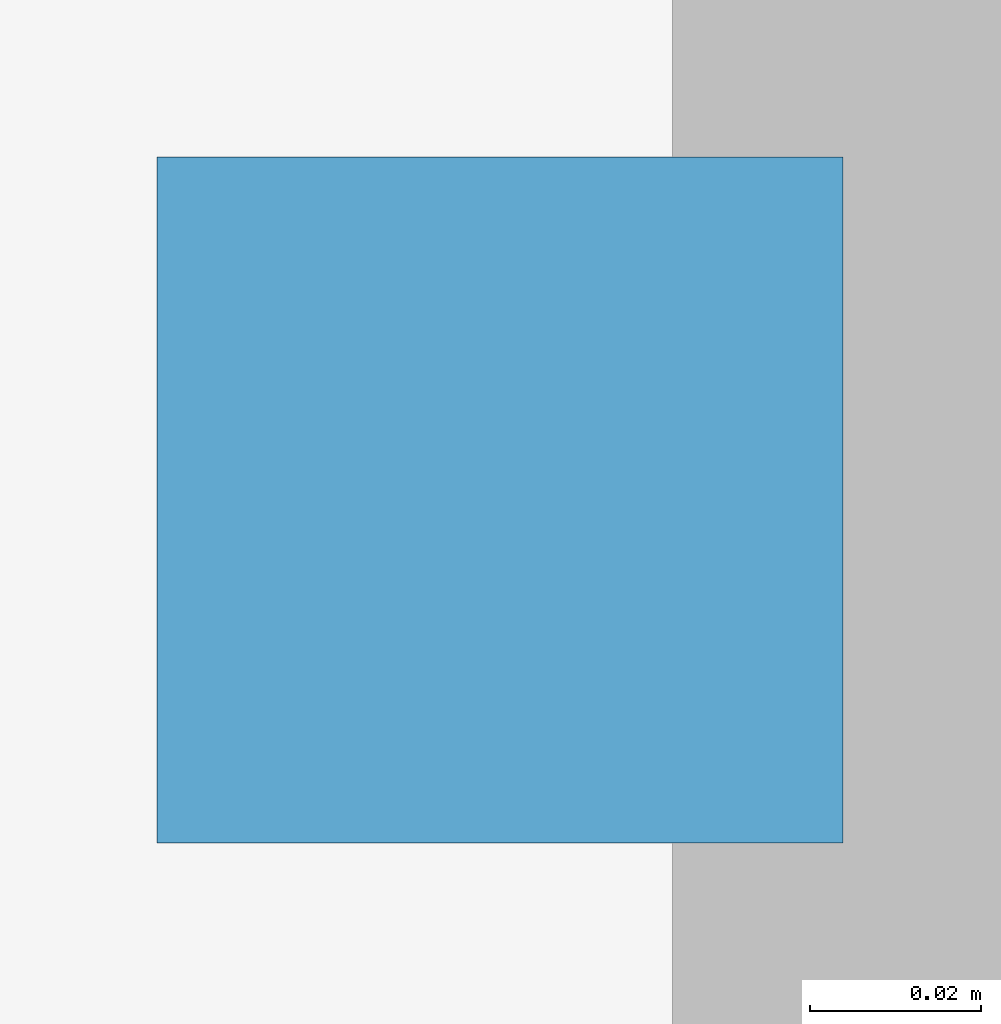
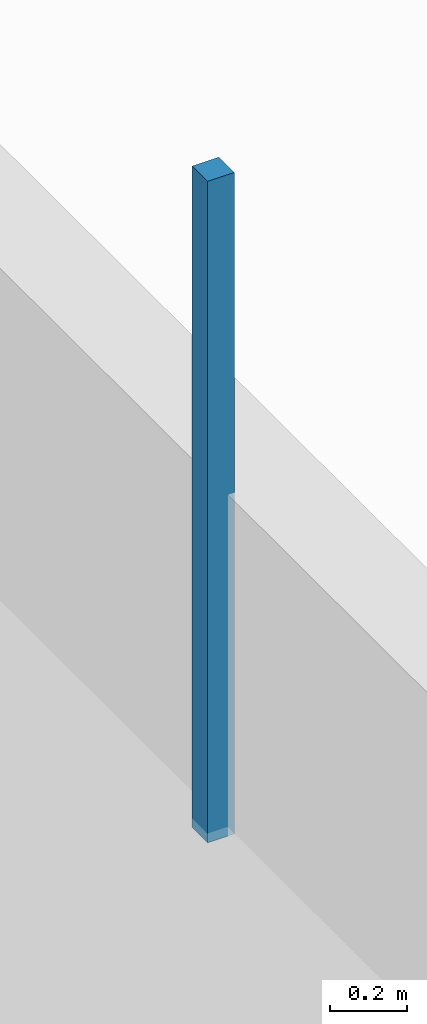
# One storey, part 14 of 18: 1 discrete accessory.
"""IFC4 building model written with IfcOpenShell, lengths in metres."""

from ifc_helpers import new_model, si_unit, direction, frame, origin, origin_2d, place, context, subcontext, project, spatial, rectangle, extrude, source, transform, mapped, material, type_object, element, save


model = new_model("IFC4")

# Units and contexts
model_context = context("Model", 3, precision=1e-05, world=origin(), true_north=direction((0.0, 1.0)))
body_context = subcontext(model_context, "Body", "Model", "MODEL_VIEW")
ifc_project = project(units=[si_unit("LENGTHUNIT", "METRE"), si_unit("AREAUNIT", "SQUARE_METRE"), si_unit("VOLUMEUNIT", "CUBIC_METRE"), si_unit("PLANEANGLEUNIT", "RADIAN"), si_unit("MASSUNIT", "GRAM", prefix="KILO")], contexts=[model_context])

# Site, building, storey
site_placement = place(None, origin())
site = spatial("IfcSite", under=ifc_project, at=site_placement, CompositionType="ELEMENT")
building_placement = place(site_placement, origin())
building = spatial("IfcBuilding", under=site, at=building_placement, Name="Giltprow Tower", CompositionType="ELEMENT")
storey_placement = place(building_placement, origin())
storey = spatial("IfcBuildingStorey", under=building, at=storey_placement, Name="L01", CompositionType="ELEMENT", Elevation=0.0)

# Discrete accessory
ifc_material = material(Name="Structural steel Q355B", Category="steel")
discrete_accessory_type = type_object("IfcDiscreteAccessoryType", Name="ACC-CLG-HANGER", PredefinedType="BRACKET", material=ifc_material)
shared_shape = source(origin(), body_context, "Body", "SweptSolid", [
    extrude(rectangle(XDim=0.080078125, YDim=0.080078125, at=origin_2d()), origin(), (0.0, 0.0, 1.0), 2.090087890625),
])
discrete_accessory_placement = place(storey_placement, frame((7.89990234375, 11.85009765625, 3.27001953125), z_axis=(0.0, 0.0, 1.0), x_axis=(1.0, 0.0, 0.0)))
element("IfcDiscreteAccessory", 1, at=discrete_accessory_placement, inside=storey, type_object=discrete_accessory_type, Name="L01 Acoustic Suspended Ceiling Suspension Hanger", PredefinedType="BRACKET", context=body_context, shape_type="MappedRepresentation", body=[
    mapped(shared_shape, transform((0.0, 0.0, 0.0), x_axis=(1.0, 0.0, 0.0), y_axis=(0.0, 1.0, 0.0), z_axis=(0.0, 0.0, 1.0), scale=1.0)),
])

save(model, "model.ifc")
